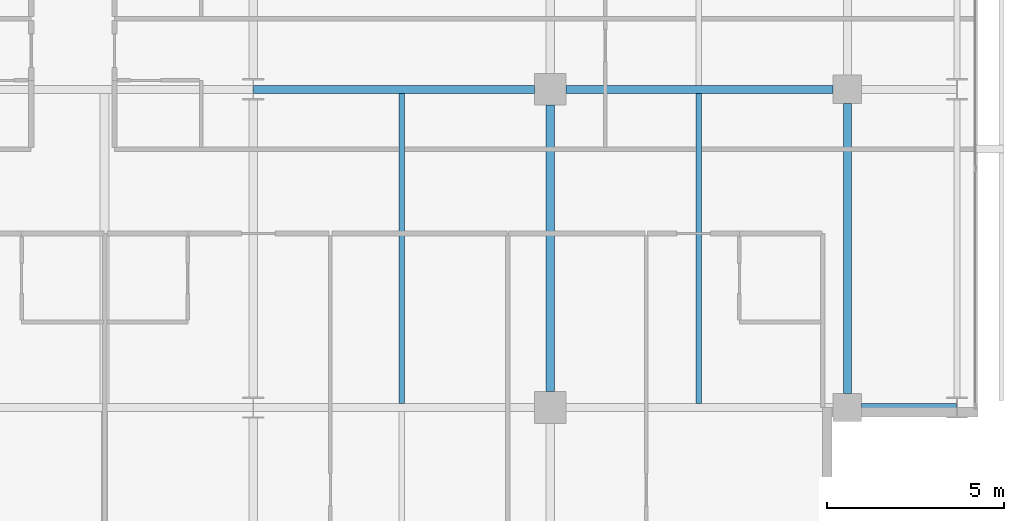
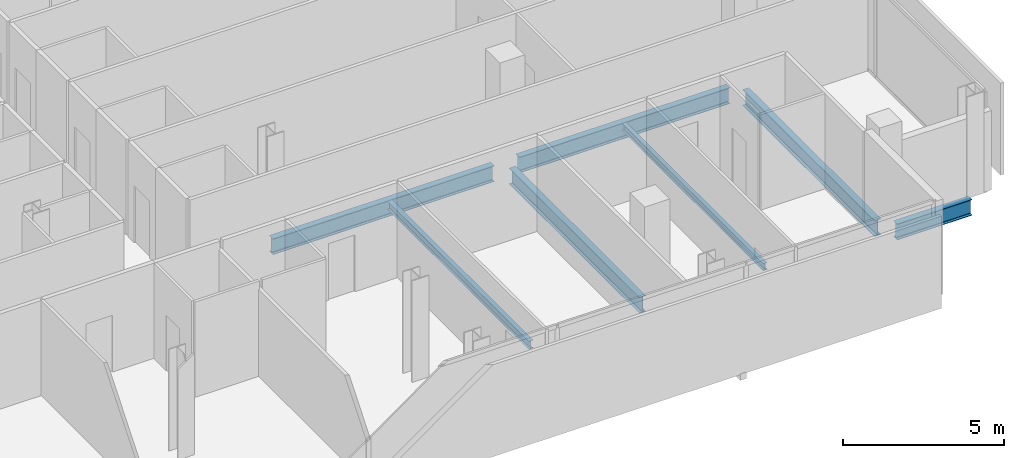
# One storey, part 14 of 34: 7 beams.
"""IFC4 building model written with IfcOpenShell, lengths in metres."""

from ifc_helpers import new_model, si_unit, direction, frame, origin, origin_2d, place, context, subcontext, project, spatial, i_section, extrude, material, material_profile, profile_set, type_object, element, save


model = new_model("IFC4")

# Units and contexts
model_context = context("Model", 3, precision=1e-05, world=origin(), true_north=direction((0.0, 1.0)))
body_context = subcontext(model_context, "Body", "Model", "MODEL_VIEW")
ifc_project = project(units=[si_unit("LENGTHUNIT", "METRE"), si_unit("AREAUNIT", "SQUARE_METRE"), si_unit("VOLUMEUNIT", "CUBIC_METRE"), si_unit("PLANEANGLEUNIT", "RADIAN"), si_unit("MASSUNIT", "GRAM", prefix="KILO")], contexts=[model_context])

# Site, building, storey
site_placement = place(None, origin())
site = spatial("IfcSite", under=ifc_project, at=site_placement, CompositionType="ELEMENT")
building_placement = place(site_placement, origin())
building = spatial("IfcBuilding", under=site, at=building_placement, Name="Maruvema Waterfront Hotel and Observation Tower", CompositionType="ELEMENT")
storey_placement = place(building_placement, frame((0.0, 0.0, 185.14990234375)))
storey = spatial("IfcBuildingStorey", under=building, at=storey_placement, Name="L45", CompositionType="ELEMENT", Elevation=185.14990234375)

# Beams
ifc_material_1 = material(Name="Steel ASTM A572 Grade 50", Category="steel")
ifc_material_profile_1 = material_profile(ifc_material_1, i_section(OverallWidth=0.22802734375, OverallDepth=0.60302734375, WebThickness=0.010498046875, FlangeThickness=0.014892578125, FilletRadius=0.01806640625, at=origin_2d()), Name="W610x101.0")
ifc_profile_set_1 = profile_set([ifc_material_profile_1], Name="Steel ASTM A572 Grade 50")
beam_type_1 = type_object("IfcBeamType", Name="Primary Floor Girder W610x101.0", PredefinedType="BEAM", material=ifc_profile_set_1)
beam_1_placement = place(storey_placement, frame((59.199951171875, 9.0, -0.54150390625), z_axis=(1.0, 0.0, 0.0), x_axis=(0.0, 1.0, 0.0)))
element("IfcBeam", 1, at=beam_1_placement, inside=storey, type_object=beam_type_1, Name="L45 Floor Girder EW-10", PredefinedType="BEAM", context=body_context, shape_type="SweptSolid", body=[
    extrude(i_section(OverallWidth=0.22802734375, OverallDepth=0.60302734375, WebThickness=0.010498046875, FlangeThickness=0.014892578125, FilletRadius=0.01806640625, at=origin_2d()), origin(), (0.0, 0.0, 1.0), 2.6875),
])
beam_2_placement = place(storey_placement, frame((42.012451171875, 18.0, -0.54150390625), z_axis=(1.0, 0.0, 0.0), x_axis=(0.0, 1.0, 0.0)))
element("IfcBeam", 2, at=beam_2_placement, inside=storey, type_object=beam_type_1, Name="L45 Floor Girder EW-15", PredefinedType="BEAM", context=body_context, shape_type="SweptSolid", body=[
    extrude(i_section(OverallWidth=0.22802734375, OverallDepth=0.60302734375, WebThickness=0.010498046875, FlangeThickness=0.014892578125, FilletRadius=0.01806640625, at=origin_2d()), origin(), (0.0, 0.0, 1.0), 7.9375),
])
beam_3_placement = place(storey_placement, frame((50.85009765625, 18.0, -0.54150390625), z_axis=(1.0, 0.0, 0.0), x_axis=(0.0, 1.0, 0.0)))
element("IfcBeam", 3, at=beam_3_placement, inside=storey, type_object=beam_type_1, Name="L45 Floor Girder EW-16", PredefinedType="BEAM", context=body_context, shape_type="SweptSolid", body=[
    extrude(i_section(OverallWidth=0.22802734375, OverallDepth=0.60302734375, WebThickness=0.010498046875, FlangeThickness=0.014892578125, FilletRadius=0.01806640625, at=origin_2d()), origin(), (0.0, 0.0, 1.0), 7.5498046875),
])
beam_4_placement = place(storey_placement, frame((50.39990234375, 9.449951171875, -0.54150390625), z_axis=(0.0, 1.0, 0.0), x_axis=(-1.0, 0.0, 0.0)))
element("IfcBeam", 4, at=beam_4_placement, inside=storey, type_object=beam_type_1, Name="L45 Floor Girder NS-21", PredefinedType="BEAM", context=body_context, shape_type="SweptSolid", body=[
    extrude(i_section(OverallWidth=0.22802734375, OverallDepth=0.60302734375, WebThickness=0.010498046875, FlangeThickness=0.014892578125, FilletRadius=0.01806640625, at=origin_2d()), origin(), (0.0, 0.0, 1.0), 8.10009765625),
])
beam_5_placement = place(storey_placement, frame((58.800048828125, 9.39990234375, -0.54150390625), z_axis=(0.0, 1.0, 0.0), x_axis=(-1.0, 0.0, 0.0)))
element("IfcBeam", 5, at=beam_5_placement, inside=storey, type_object=beam_type_1, Name="L45 Floor Girder NS-25", PredefinedType="BEAM", context=body_context, shape_type="SweptSolid", body=[
    extrude(i_section(OverallWidth=0.22802734375, OverallDepth=0.60302734375, WebThickness=0.010498046875, FlangeThickness=0.014892578125, FilletRadius=0.01806640625, at=origin_2d()), origin(), (0.0, 0.0, 1.0), 8.2001953125),
])
ifc_material_2 = material(Name="Steel ASTM A572 Grade 50", Category="steel")
ifc_material_profile_2 = material_profile(ifc_material_2, i_section(OverallWidth=0.14794921875, OverallDepth=0.26611328125, WebThickness=0.007568359375, FlangeThickness=0.012939453125, FilletRadius=0.012939453125, at=origin_2d()), Name="W250x44.8")
ifc_profile_set_2 = profile_set([ifc_material_profile_2], Name="Steel ASTM A572 Grade 50")
beam_type_2 = type_object("IfcBeamType", Name="Secondary Floor Joist W250x44.8", PredefinedType="JOIST", material=ifc_profile_set_2)
beam_6_placement = place(storey_placement, frame((54.60009765625, 9.114013671875, -0.372802734375), z_axis=(0.0, 1.0, 0.0), x_axis=(-1.0, 0.0, 0.0)))
element("IfcBeam", 6, at=beam_6_placement, inside=storey, type_object=beam_type_2, Name="L45 Secondary Floor Joist JS-11", PredefinedType="JOIST", context=body_context, shape_type="SweptSolid", body=[
    extrude(i_section(OverallWidth=0.14794921875, OverallDepth=0.26611328125, WebThickness=0.007568359375, FlangeThickness=0.012939453125, FilletRadius=0.012939453125, at=origin_2d()), origin(), (0.0, 0.0, 1.0), 8.77197265625),
])
ifc_material_3 = material(Name="Steel ASTM A572 Grade 50", Category="steel")
ifc_material_profile_3 = material_profile(ifc_material_3, i_section(OverallWidth=0.1650390625, OverallDepth=0.31005859375, WebThickness=0.005859375, FlangeThickness=0.009765625, FilletRadius=0.012939453125, at=origin_2d()), Name="W310x38.7")
ifc_profile_set_3 = profile_set([ifc_material_profile_3], Name="Steel ASTM A572 Grade 50")
beam_type_3 = type_object("IfcBeamType", Name="Secondary Floor Joist W310x38.7", PredefinedType="JOIST", material=ifc_profile_set_3)
beam_7_placement = place(storey_placement, frame((46.199951171875, 9.114013671875, -0.39501953125), z_axis=(0.0, 1.0, 0.0), x_axis=(-1.0, 0.0, 0.0)))
element("IfcBeam", 7, at=beam_7_placement, inside=storey, type_object=beam_type_3, Name="L45 Secondary Floor Joist JS-10", PredefinedType="JOIST", context=body_context, shape_type="SweptSolid", body=[
    extrude(i_section(OverallWidth=0.1650390625, OverallDepth=0.31005859375, WebThickness=0.005859375, FlangeThickness=0.009765625, FilletRadius=0.012939453125, at=origin_2d()), origin(), (0.0, 0.0, 1.0), 8.77197265625),
])

save(model, "model.ifc")
